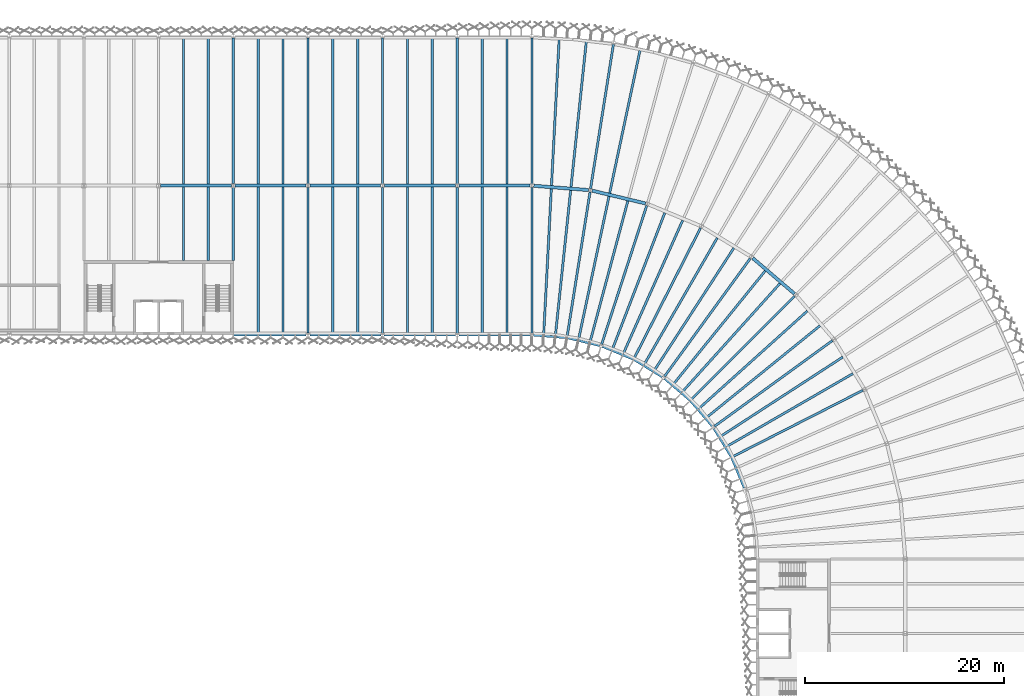
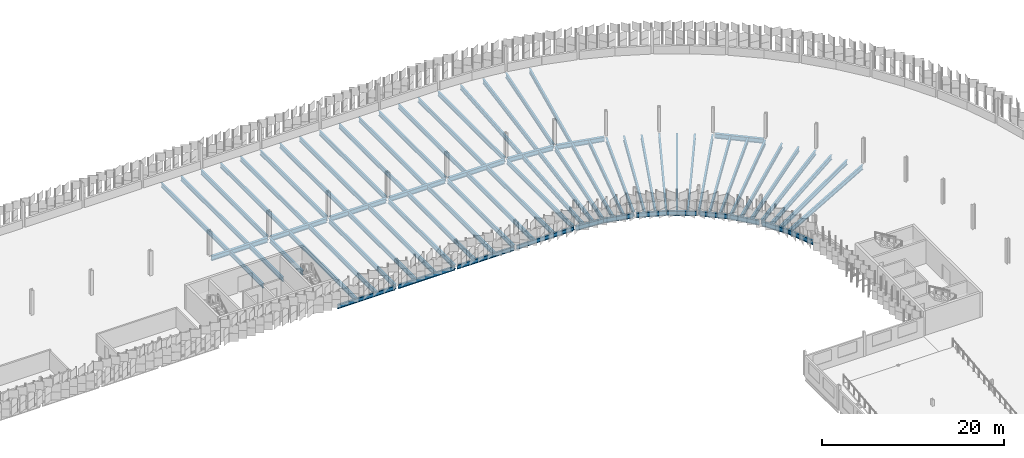
# One storey, part 37 of 198: 75 beams.
"""IFC4 building model written with IfcOpenShell, lengths in metres."""

from ifc_helpers import new_model, si_unit, direction, frame, origin, origin_2d, place, context, subcontext, project, spatial, i_section, extrude, material, material_profile, profile_set, type_object, element, save


model = new_model("IFC4")

# Units and contexts
model_context = context("Model", 3, precision=1e-05, world=origin(), true_north=direction((0.0, 1.0)))
body_context = subcontext(model_context, "Body", "Model", "MODEL_VIEW")
ifc_project = project(units=[si_unit("LENGTHUNIT", "METRE"), si_unit("AREAUNIT", "SQUARE_METRE"), si_unit("VOLUMEUNIT", "CUBIC_METRE"), si_unit("PLANEANGLEUNIT", "RADIAN"), si_unit("MASSUNIT", "GRAM", prefix="KILO")], contexts=[model_context])

# Site, building, storey
site_placement = place(None, origin())
site = spatial("IfcSite", under=ifc_project, at=site_placement, CompositionType="ELEMENT")
building_placement = place(site_placement, origin())
building = spatial("IfcBuilding", under=site, at=building_placement, Name="Parallax Yard Mobility Hub", CompositionType="ELEMENT")
storey_placement = place(building_placement, frame((0.0, 0.0, 6.60009765625)))
storey = spatial("IfcBuildingStorey", under=building, at=storey_placement, Name="L02", CompositionType="ELEMENT", Elevation=6.60009765625)

# Beams
ifc_material = material(Name="Steel ASTM A992", Category="steel")
ifc_material_profile_1 = material_profile(ifc_material, i_section(OverallWidth=0.208984375, OverallDepth=0.532958984375, WebThickness=0.01025390625, FlangeThickness=0.015625, FilletRadius=0.0126953125, at=origin_2d()), Name="W530x92")
ifc_profile_set_1 = profile_set([ifc_material_profile_1], Name="Steel ASTM A992")
beam_type_1 = type_object("IfcBeamType", Name="W530x92 edge beam", PredefinedType="SPANDREL", material=ifc_profile_set_1)
beam_1_placement = place(storey_placement, frame((142.5, 112.5, -0.406494140625), z_axis=(1.0, 0.0, 0.0), x_axis=(0.0, 1.0, 0.0)))
element("IfcBeam", 1, at=beam_1_placement, inside=storey, type_object=beam_type_1, Name="Edge beam SB5 level L02, line R of ramped parking decks, span 12", PredefinedType="SPANDREL", context=body_context, shape_type="SweptSolid", body=[
    extrude(i_section(OverallWidth=0.208984375, OverallDepth=0.532958984375, WebThickness=0.01025390625, FlangeThickness=0.015625, FilletRadius=0.0126953125, at=origin_2d()), origin(), (0.0, 0.0, 1.0), 7.3134765625),
])
beam_2_placement = place(storey_placement, frame((150.1865234375, 112.5, -0.406494140625), z_axis=(1.0, 0.0, 0.0), x_axis=(0.0, 1.0, 0.0)))
element("IfcBeam", 2, at=beam_2_placement, inside=storey, type_object=beam_type_1, Name="Edge beam SB5 level L02, line R of ramped parking decks, span 13", PredefinedType="SPANDREL", context=body_context, shape_type="SweptSolid", body=[
    extrude(i_section(OverallWidth=0.208984375, OverallDepth=0.532958984375, WebThickness=0.01025390625, FlangeThickness=0.015625, FilletRadius=0.0126953125, at=origin_2d()), origin(), (0.0, 0.0, 1.0), 7.160888671875),
])
for number, where, z_axis, x_axis, name in (
    (3, (157.652587890625, 112.5, -0.406494140625), (1.0, 0.0, 0.0), (0.0, 1.0, 0.0), "Edge beam SB5 level L02, line R of ramped parking decks, span 14"),
    (4, (165.152587890625, 112.5, -0.406494140625), (1.0, 0.0, 0.0), (0.0, 1.0, 0.0), "Edge beam SB5 level L02, line R of ramped parking decks, span 15"),
):
    element("IfcBeam", number, at=place(storey_placement, frame(where, z_axis=z_axis, x_axis=x_axis)), inside=storey, type_object=beam_type_1, Name=name, PredefinedType="SPANDREL", context=body_context, shape_type="SweptSolid", body=[
        extrude(i_section(OverallWidth=0.208984375, OverallDepth=0.532958984375, WebThickness=0.01025390625, FlangeThickness=0.015625, FilletRadius=0.0126953125, at=origin_2d()), origin(), (0.0, 0.0, 1.0), 7.19482421875),
    ])
ifc_material_profile_2 = material_profile(ifc_material, i_section(OverallWidth=0.22802734375, OverallDepth=0.60205078125, WebThickness=0.010498046875, FlangeThickness=0.014892578125, FilletRadius=0.0126953125, at=origin_2d()), Name="W610x101")
ifc_profile_set_2 = profile_set([ifc_material_profile_2], Name="Steel ASTM A992")
beam_type_2 = type_object("IfcBeamType", Name="W610x101 secondary beam", PredefinedType="JOIST", material=ifc_profile_set_2)
beam_3_placement = place(storey_placement, frame((137.5, 120.0, -0.441162109375), z_axis=(0.0, 1.0, 0.0), x_axis=(-1.0, 0.0, 0.0)))
element("IfcBeam", 5, at=beam_3_placement, inside=storey, type_object=beam_type_2, Name="Secondary beam B3 level L02, 2.5 m east of line 19 of ramped parking decks, span 1", PredefinedType="JOIST", context=body_context, shape_type="SweptSolid", body=[
    extrude(i_section(OverallWidth=0.22802734375, OverallDepth=0.60205078125, WebThickness=0.010498046875, FlangeThickness=0.014892578125, FilletRadius=0.0126953125, at=origin_2d()), origin(), (0.0, 0.0, 1.0), 7.33740234375),
])
for number, where, z_axis, x_axis, name in (
    (6, (137.5, 127.66259765625, -0.441162109375), (0.0, 1.0, 0.0), (-1.0, 0.0, 0.0), "Secondary beam B3 level L02, 2.5 m east of line 19 of ramped parking decks, span 2"),
    (7, (145.0, 112.6044921875, -0.441162109375), (0.0, 1.0, 0.0), (-1.0, 0.0, 0.0), "Secondary beam B3 level L02, 2.5 m east of line 20 of ramped parking decks, span 1"),
    (8, (145.0, 127.66259765625, -0.441162109375), (0.0, 1.0, 0.0), (-1.0, 0.0, 0.0), "Secondary beam B3 level L02, 2.5 m east of line 20 of ramped parking decks, span 2"),
    (9, (152.5, 112.6044921875, -0.441162109375), (0.0, 1.0, 0.0), (-1.0, 0.0, 0.0), "Secondary beam B3 level L02, 2.5 m east of line 21 of ramped parking decks, span 1"),
    (10, (152.5, 127.66259765625, -0.441162109375), (0.0, 1.0, 0.0), (-1.0, 0.0, 0.0), "Secondary beam B3 level L02, 2.5 m east of line 21 of ramped parking decks, span 2"),
    (11, (160.0, 112.6044921875, -0.441162109375), (0.0, 1.0, 0.0), (-1.0, 0.0, 0.0), "Secondary beam B3 level L02, 2.5 m east of line 22 of ramped parking decks, span 1"),
    (12, (160.0, 127.66259765625, -0.441162109375), (0.0, 1.0, 0.0), (-1.0, 0.0, 0.0), "Secondary beam B3 level L02, 2.5 m east of line 22 of ramped parking decks, span 2"),
    (13, (167.5, 112.6044921875, -0.441162109375), (0.0, 1.0, 0.0), (-1.0, 0.0, 0.0), "Secondary beam B3 level L02, 2.5 m east of line 23 of ramped parking decks, span 1"),
    (14, (167.5, 127.66259765625, -0.441162109375), (0.0, 1.0, 0.0), (-1.0, 0.0, 0.0), "Secondary beam B3 level L02, 2.5 m east of line 23 of ramped parking decks, span 2"),
):
    element("IfcBeam", number, at=place(storey_placement, frame(where, z_axis=z_axis, x_axis=x_axis)), inside=storey, type_object=beam_type_2, Name=name, PredefinedType="JOIST", context=body_context, shape_type="SweptSolid", body=[
        extrude(i_section(OverallWidth=0.22802734375, OverallDepth=0.60205078125, WebThickness=0.010498046875, FlangeThickness=0.014892578125, FilletRadius=0.0126953125, at=origin_2d()), origin(), (0.0, 0.0, 1.0), 14.73291015625),
    ])
beam_4_placement = place(storey_placement, frame((140.0, 120.0, -0.441162109375), z_axis=(0.0, 1.0, 0.0), x_axis=(-1.0, 0.0, 0.0)))
element("IfcBeam", 15, at=beam_4_placement, inside=storey, type_object=beam_type_2, Name="Secondary beam B3 level L02, 5 m east of line 19 of ramped parking decks, span 1", PredefinedType="JOIST", context=body_context, shape_type="SweptSolid", body=[
    extrude(i_section(OverallWidth=0.22802734375, OverallDepth=0.60205078125, WebThickness=0.010498046875, FlangeThickness=0.014892578125, FilletRadius=0.0126953125, at=origin_2d()), origin(), (0.0, 0.0, 1.0), 7.33740234375),
])
for number, where, z_axis, x_axis, name in (
    (16, (140.0, 127.66259765625, -0.441162109375), (0.0, 1.0, 0.0), (-1.0, 0.0, 0.0), "Secondary beam B3 level L02, 5 m east of line 19 of ramped parking decks, span 2"),
    (17, (147.5, 112.6044921875, -0.441162109375), (0.0, 1.0, 0.0), (-1.0, 0.0, 0.0), "Secondary beam B3 level L02, 5 m east of line 20 of ramped parking decks, span 1"),
    (18, (147.5, 127.66259765625, -0.441162109375), (0.0, 1.0, 0.0), (-1.0, 0.0, 0.0), "Secondary beam B3 level L02, 5 m east of line 20 of ramped parking decks, span 2"),
    (19, (155.0, 112.6044921875, -0.441162109375), (0.0, 1.0, 0.0), (-1.0, 0.0, 0.0), "Secondary beam B3 level L02, 5 m east of line 21 of ramped parking decks, span 1"),
    (20, (155.0, 127.66259765625, -0.441162109375), (0.0, 1.0, 0.0), (-1.0, 0.0, 0.0), "Secondary beam B3 level L02, 5 m east of line 21 of ramped parking decks, span 2"),
    (21, (162.5, 112.6044921875, -0.441162109375), (0.0, 1.0, 0.0), (-1.0, 0.0, 0.0), "Secondary beam B3 level L02, 5 m east of line 22 of ramped parking decks, span 1"),
    (22, (162.5, 127.66259765625, -0.441162109375), (0.0, 1.0, 0.0), (-1.0, 0.0, 0.0), "Secondary beam B3 level L02, 5 m east of line 22 of ramped parking decks, span 2"),
    (23, (170.0, 112.6044921875, -0.441162109375), (0.0, 1.0, 0.0), (-1.0, 0.0, 0.0), "Secondary beam B3 level L02, 5 m east of line 23 of ramped parking decks, span 1"),
    (24, (170.0, 127.66259765625, -0.441162109375), (0.0, 1.0, 0.0), (-1.0, 0.0, 0.0), "Secondary beam B3 level L02, 5 m east of line 23 of ramped parking decks, span 2"),
):
    element("IfcBeam", number, at=place(storey_placement, frame(where, z_axis=z_axis, x_axis=x_axis)), inside=storey, type_object=beam_type_2, Name=name, PredefinedType="JOIST", context=body_context, shape_type="SweptSolid", body=[
        extrude(i_section(OverallWidth=0.22802734375, OverallDepth=0.60205078125, WebThickness=0.010498046875, FlangeThickness=0.014892578125, FilletRadius=0.0126953125, at=origin_2d()), origin(), (0.0, 0.0, 1.0), 14.73291015625),
    ])
beam_5_placement = place(storey_placement, frame((177.18896484375, 112.06005859375, -0.441162109375), z_axis=(0.207911657875, 0.978147607736, 0.0), x_axis=(-0.978147607736, 0.207911657875, 0.0)))
element("IfcBeam", 25, at=beam_5_placement, inside=storey, type_object=beam_type_2, Name="Secondary beam B3 level L02, radial at 12 degrees of ramped parking decks, span 1", PredefinedType="JOIST", context=body_context, shape_type="SweptSolid", body=[
    extrude(i_section(OverallWidth=0.22802734375, OverallDepth=0.60205078125, WebThickness=0.010498046875, FlangeThickness=0.014892578125, FilletRadius=0.0126953125, at=origin_2d()), origin(), (0.0, 0.0, 1.0), 14.681640625),
])
beam_6_placement = place(storey_placement, frame((180.30908203125, 126.739013671875, -0.441162109375), z_axis=(0.207908276129, 0.978148326542, 0.0), x_axis=(-0.978148326542, 0.207908276129, 0.0)))
element("IfcBeam", 26, at=beam_6_placement, inside=storey, type_object=beam_type_2, Name="Secondary beam B3 level L02, radial at 12 degrees of ramped parking decks, span 2", PredefinedType="JOIST", context=body_context, shape_type="SweptSolid", body=[
    extrude(i_section(OverallWidth=0.22802734375, OverallDepth=0.60205078125, WebThickness=0.010498046875, FlangeThickness=0.014892578125, FilletRadius=0.0126953125, at=origin_2d()), origin(), (0.0, 0.0, 1.0), 14.681884765625),
])
for number, where, z_axis, x_axis, name in (
    (27, (178.337158203125, 111.784423828125, -0.441162109375), (0.258813386129, 0.965927342589, 0.0), (-0.965927342589, 0.258813386129, 0.0), "Secondary beam B3 level L02, radial at 15 degrees of ramped parking decks, span 1"),
    (28, (180.582275390625, 111.054931640625, -0.441162109375), (0.358354982937, 0.933585403808, 0.0), (-0.933585403808, 0.358354982937, 0.0), "Secondary beam B3 level L02, radial at 21 degrees of ramped parking decks, span 1"),
    (29, (181.673095703125, 110.60302734375, -0.441162109375), (0.406743189488, 0.913542542964, 0.0), (-0.913542542964, 0.406743189488, 0.0), "Secondary beam B3 level L02, radial at 24 degrees of ramped parking decks, span 1"),
    (30, (173.680419921875, 112.52197265625, -0.441162109375), (0.052331034694, 0.99862979267, 0.0), (-0.99862979267, 0.052331034694, 0.0), "Secondary beam B3 level L02, radial at 3 degrees of ramped parking decks, span 1"),
    (31, (174.4658203125, 127.50830078125, -0.441162109375), (0.052331034694, 0.99862979267, 0.0), (-0.99862979267, 0.052331034694, 0.0), "Secondary beam B3 level L02, radial at 3 degrees of ramped parking decks, span 2"),
):
    element("IfcBeam", number, at=place(storey_placement, frame(where, z_axis=z_axis, x_axis=x_axis)), inside=storey, type_object=beam_type_2, Name=name, PredefinedType="JOIST", context=body_context, shape_type="SweptSolid", body=[
        extrude(i_section(OverallWidth=0.22802734375, OverallDepth=0.60205078125, WebThickness=0.010498046875, FlangeThickness=0.014892578125, FilletRadius=0.0126953125, at=origin_2d()), origin(), (0.0, 0.0, 1.0), 14.681640625),
    ])
beam_7_placement = place(storey_placement, frame((183.7763671875, 109.53125, -0.441162109375), z_axis=(0.499994986164, 0.866028298505, 0.0), x_axis=(-0.866028298505, 0.499994986164, 0.0)))
element("IfcBeam", 32, at=beam_7_placement, inside=storey, type_object=beam_type_2, Name="Secondary beam B3 level L02, radial at 30 degrees of ramped parking decks, span 1", PredefinedType="JOIST", context=body_context, shape_type="SweptSolid", body=[
    extrude(i_section(OverallWidth=0.22802734375, OverallDepth=0.60205078125, WebThickness=0.010498046875, FlangeThickness=0.014892578125, FilletRadius=0.0126953125, at=origin_2d()), origin(), (0.0, 0.0, 1.0), 14.681884765625),
])
beam_8_placement = place(storey_placement, frame((184.783203125, 108.914306640625, -0.441162109375), z_axis=(0.544628836303, 0.838677190978, 0.0), x_axis=(-0.838677190978, 0.544628836303, 0.0)))
element("IfcBeam", 33, at=beam_8_placement, inside=storey, type_object=beam_type_2, Name="Secondary beam B3 level L02, radial at 33 degrees of ramped parking decks, span 1", PredefinedType="JOIST", context=body_context, shape_type="SweptSolid", body=[
    extrude(i_section(OverallWidth=0.22802734375, OverallDepth=0.60205078125, WebThickness=0.010498046875, FlangeThickness=0.014892578125, FilletRadius=0.0126953125, at=origin_2d()), origin(), (0.0, 0.0, 1.0), 14.681640625),
])
beam_9_placement = place(storey_placement, frame((186.693115234375, 107.52685546875, -0.441162109375), z_axis=(0.629317812071, 0.777148049865, 0.0), x_axis=(-0.777148049865, 0.629317812071, 0.0)))
element("IfcBeam", 34, at=beam_9_placement, inside=storey, type_object=beam_type_2, Name="Secondary beam B3 level L02, radial at 39 degrees of ramped parking decks, span 1", PredefinedType="JOIST", context=body_context, shape_type="SweptSolid", body=[
    extrude(i_section(OverallWidth=0.22802734375, OverallDepth=0.60205078125, WebThickness=0.010498046875, FlangeThickness=0.014892578125, FilletRadius=0.0126953125, at=origin_2d()), origin(), (0.0, 0.0, 1.0), 14.681884765625),
])
for number, where, z_axis, x_axis, name in (
    (35, (187.5908203125, 106.760009765625, -0.441162109375), (0.669130085287, 0.743145294652, 0.0), (-0.743145294652, 0.669130085287, 0.0), "Secondary beam B3 level L02, radial at 42 degrees of ramped parking decks, span 1"),
    (36, (189.260009765625, 105.0908203125, -0.441162109375), (0.743145294652, 0.669130085287, 0.0), (-0.669130085287, 0.743145294652, 0.0), "Secondary beam B3 level L02, radial at 48 degrees of ramped parking decks, span 1"),
):
    element("IfcBeam", number, at=place(storey_placement, frame(where, z_axis=z_axis, x_axis=x_axis)), inside=storey, type_object=beam_type_2, Name=name, PredefinedType="JOIST", context=body_context, shape_type="SweptSolid", body=[
        extrude(i_section(OverallWidth=0.22802734375, OverallDepth=0.60205078125, WebThickness=0.010498046875, FlangeThickness=0.014892578125, FilletRadius=0.0126953125, at=origin_2d()), origin(), (0.0, 0.0, 1.0), 14.681640625),
    ])
beam_10_placement = place(storey_placement, frame((190.02685546875, 104.193115234375, -0.441162109375), z_axis=(0.777148049865, 0.629317812071, 0.0), x_axis=(-0.629317812071, 0.777148049865, 0.0)))
element("IfcBeam", 37, at=beam_10_placement, inside=storey, type_object=beam_type_2, Name="Secondary beam B3 level L02, radial at 51 degrees of ramped parking decks, span 1", PredefinedType="JOIST", context=body_context, shape_type="SweptSolid", body=[
    extrude(i_section(OverallWidth=0.22802734375, OverallDepth=0.60205078125, WebThickness=0.010498046875, FlangeThickness=0.014892578125, FilletRadius=0.0126953125, at=origin_2d()), origin(), (0.0, 0.0, 1.0), 14.681884765625),
])
beam_11_placement = place(storey_placement, frame((191.414306640625, 102.283203125, -0.441162109375), z_axis=(0.838677190978, 0.544628836303, 0.0), x_axis=(-0.544628836303, 0.838677190978, 0.0)))
element("IfcBeam", 38, at=beam_11_placement, inside=storey, type_object=beam_type_2, Name="Secondary beam B3 level L02, radial at 57 degrees of ramped parking decks, span 1", PredefinedType="JOIST", context=body_context, shape_type="SweptSolid", body=[
    extrude(i_section(OverallWidth=0.22802734375, OverallDepth=0.60205078125, WebThickness=0.010498046875, FlangeThickness=0.014892578125, FilletRadius=0.0126953125, at=origin_2d()), origin(), (0.0, 0.0, 1.0), 14.681640625),
])
beam_12_placement = place(storey_placement, frame((174.857421875, 112.42919921875, -0.441162109375), z_axis=(0.104527244507, 0.994522023464, 0.0), x_axis=(-0.994522023464, 0.104527244507, 0.0)))
element("IfcBeam", 39, at=beam_12_placement, inside=storey, type_object=beam_type_2, Name="Secondary beam B3 level L02, radial at 6 degrees of ramped parking decks, span 1", PredefinedType="JOIST", context=body_context, shape_type="SweptSolid", body=[
    extrude(i_section(OverallWidth=0.22802734375, OverallDepth=0.60205078125, WebThickness=0.010498046875, FlangeThickness=0.014892578125, FilletRadius=0.0126953125, at=origin_2d()), origin(), (0.0, 0.0, 1.0), 14.681884765625),
])
beam_13_placement = place(storey_placement, frame((176.426025390625, 127.35400390625, -0.441162109375), z_axis=(0.104528973154, 0.994521841777, 0.0), x_axis=(-0.994521841777, 0.104528973154, 0.0)))
element("IfcBeam", 40, at=beam_13_placement, inside=storey, type_object=beam_type_2, Name="Secondary beam B3 level L02, radial at 6 degrees of ramped parking decks, span 2", PredefinedType="JOIST", context=body_context, shape_type="SweptSolid", body=[
    extrude(i_section(OverallWidth=0.22802734375, OverallDepth=0.60205078125, WebThickness=0.010498046875, FlangeThickness=0.014892578125, FilletRadius=0.0126953125, at=origin_2d()), origin(), (0.0, 0.0, 1.0), 14.681640625),
])
beam_14_placement = place(storey_placement, frame((192.03125, 101.2763671875, -0.441162109375), z_axis=(0.866028298505, 0.499994986164, 0.0), x_axis=(-0.499994986164, 0.866028298505, 0.0)))
element("IfcBeam", 41, at=beam_14_placement, inside=storey, type_object=beam_type_2, Name="Secondary beam B3 level L02, radial at 60 degrees of ramped parking decks, span 1", PredefinedType="JOIST", context=body_context, shape_type="SweptSolid", body=[
    extrude(i_section(OverallWidth=0.22802734375, OverallDepth=0.60205078125, WebThickness=0.010498046875, FlangeThickness=0.014892578125, FilletRadius=0.0126953125, at=origin_2d()), origin(), (0.0, 0.0, 1.0), 14.681884765625),
])
ifc_material_profile_3 = material_profile(ifc_material, i_section(OverallWidth=0.22900390625, OverallDepth=0.612060546875, WebThickness=0.011962890625, FlangeThickness=0.01953125, FilletRadius=0.0126953125, at=origin_2d()), Name="W610x125")
ifc_profile_set_3 = profile_set([ifc_material_profile_3], Name="Steel ASTM A992")
beam_type_3 = type_object("IfcBeamType", Name="W610x125 edge beam", PredefinedType="SPANDREL", material=ifc_profile_set_3)
beam_15_placement = place(storey_placement, frame((172.652587890625, 112.488037109375, -0.446044921875), z_axis=(0.996914245703, -0.078498323001, 0.0), x_axis=(0.078498323001, 0.996914245703, 0.0)))
element("IfcBeam", 42, at=beam_15_placement, inside=storey, type_object=beam_type_3, Name="Edge beam SB7 level L02, ring RA of ramped parking decks, span 1", PredefinedType="SPANDREL", context=body_context, shape_type="SweptSolid", body=[
    extrude(i_section(OverallWidth=0.22900390625, OverallDepth=0.612060546875, WebThickness=0.011962890625, FlangeThickness=0.01953125, FilletRadius=0.0126953125, at=origin_2d()), origin(), (0.0, 0.0, 1.0), 3.377685546875),
])
for number, where, z_axis, x_axis, name in (
    (43, (176.019775390625, 112.222900390625, -0.446044921875), (0.972383364088, -0.23338935975, 0.0), (0.23338935975, 0.972383364088, 0.0), "Edge beam SB7 level L02, ring RA of ramped parking decks, span 2"),
    (44, (179.59521484375, 111.33984375, -0.446044921875), (0.923874954181, -0.382694485246, 0.0), (0.382694485246, 0.923874954181, 0.0), "Edge beam SB7 level L02, ring RA of ramped parking decks, span 3"),
    (45, (182.71484375, 110.047607421875, -0.446044921875), (0.852632424062, -0.522511195514, 0.0), (0.522511195514, 0.852632424062, 0.0), "Edge beam SB7 level L02, ring RA of ramped parking decks, span 4"),
    (46, (185.84228515625, 108.102783203125, -0.446044921875), (0.760419054456, -0.649432722936, 0.0), (0.649432722936, 0.760419054456, 0.0), "Edge beam SB7 level L02, ring RA of ramped parking decks, span 5"),
    (47, (188.409912109375, 105.909912109375, -0.446044921875), (0.649432722936, -0.760419054456, 0.0), (0.760419054456, 0.649432722936, 0.0), "Edge beam SB7 level L02, ring RA of ramped parking decks, span 6"),
    (48, (190.783203125, 103.093994140625, -0.446044921875), (0.522511195514, -0.852632424062, 0.0), (0.852632424062, 0.522511195514, 0.0), "Edge beam SB7 level L02, ring RA of ramped parking decks, span 7"),
):
    element("IfcBeam", number, at=place(storey_placement, frame(where, z_axis=z_axis, x_axis=x_axis)), inside=storey, type_object=beam_type_3, Name=name, PredefinedType="SPANDREL", context=body_context, shape_type="SweptSolid", body=[
        extrude(i_section(OverallWidth=0.22900390625, OverallDepth=0.612060546875, WebThickness=0.011962890625, FlangeThickness=0.01953125, FilletRadius=0.0126953125, at=origin_2d()), origin(), (0.0, 0.0, 1.0), 3.376708984375),
    ])
beam_16_placement = place(storey_placement, frame((192.547607421875, 100.21484375, -0.446044921875), z_axis=(0.382716213896, -0.923865953275, 0.0), x_axis=(0.923865953275, 0.382716213896, 0.0)))
element("IfcBeam", 49, at=beam_16_placement, inside=storey, type_object=beam_type_3, Name="Edge beam SB7 level L02, ring RA of ramped parking decks, span 8", PredefinedType="SPANDREL", context=body_context, shape_type="SweptSolid", body=[
    extrude(i_section(OverallWidth=0.22900390625, OverallDepth=0.612060546875, WebThickness=0.011962890625, FlangeThickness=0.01953125, FilletRadius=0.0126953125, at=origin_2d()), origin(), (0.0, 0.0, 1.0), 3.3330078125),
])
ifc_material_profile_4 = material_profile(ifc_material, i_section(OverallWidth=0.22900390625, OverallDepth=0.612060546875, WebThickness=0.011962890625, FlangeThickness=0.01953125, FilletRadius=0.0126953125, at=origin_2d()), Name="W610x125")
ifc_profile_set_4 = profile_set([ifc_material_profile_4], Name="Steel ASTM A992")
beam_type_4 = type_object("IfcBeamType", Name="W610x125 girder", PredefinedType="BEAM", material=ifc_profile_set_4)
beam_17_placement = place(storey_placement, frame((142.5, 120.0, -0.446044921875), z_axis=(0.0, 1.0, 0.0), x_axis=(-1.0, 0.0, 0.0)))
element("IfcBeam", 50, at=beam_17_placement, inside=storey, type_object=beam_type_4, Name="Girder G3 level L02, line 20 of ramped parking decks, span 1", PredefinedType="BEAM", context=body_context, shape_type="SweptSolid", body=[
    extrude(i_section(OverallWidth=0.22900390625, OverallDepth=0.612060546875, WebThickness=0.011962890625, FlangeThickness=0.01953125, FilletRadius=0.0126953125, at=origin_2d()), origin(), (0.0, 0.0, 1.0), 7.3095703125),
])
beam_18_placement = place(storey_placement, frame((142.5, 127.6904296875, -0.446044921875), z_axis=(0.0, 1.0, 0.0), x_axis=(-1.0, 0.0, 0.0)))
element("IfcBeam", 51, at=beam_18_placement, inside=storey, type_object=beam_type_4, Name="Girder G3 level L02, line 20 of ramped parking decks, span 2", PredefinedType="BEAM", context=body_context, shape_type="SweptSolid", body=[
    extrude(i_section(OverallWidth=0.22900390625, OverallDepth=0.612060546875, WebThickness=0.011962890625, FlangeThickness=0.01953125, FilletRadius=0.0126953125, at=origin_2d()), origin(), (0.0, 0.0, 1.0), 14.653564453125),
])
beam_19_placement = place(storey_placement, frame((150.0, 112.6865234375, -0.446044921875), z_axis=(0.0, 1.0, 0.0), x_axis=(-1.0, 0.0, 0.0)))
element("IfcBeam", 52, at=beam_19_placement, inside=storey, type_object=beam_type_4, Name="Girder G3 level L02, line 21 of ramped parking decks, span 1", PredefinedType="BEAM", context=body_context, shape_type="SweptSolid", body=[
    extrude(i_section(OverallWidth=0.22900390625, OverallDepth=0.612060546875, WebThickness=0.011962890625, FlangeThickness=0.01953125, FilletRadius=0.0126953125, at=origin_2d()), origin(), (0.0, 0.0, 1.0), 14.62548828125),
])
for number, where, z_axis, x_axis, name in (
    (53, (150.0, 127.68798828125, -0.446044921875), (0.0, 1.0, 0.0), (-1.0, 0.0, 0.0), "Girder G3 level L02, line 21 of ramped parking decks, span 2"),
    (54, (157.5, 112.656005859375, -0.446044921875), (0.0, 1.0, 0.0), (-1.0, 0.0, 0.0), "Girder G3 level L02, line 22 of ramped parking decks, span 1"),
    (55, (157.5, 127.68798828125, -0.446044921875), (0.0, 1.0, 0.0), (-1.0, 0.0, 0.0), "Girder G3 level L02, line 22 of ramped parking decks, span 2"),
    (56, (165.0, 112.656005859375, -0.446044921875), (0.0, 1.0, 0.0), (-1.0, 0.0, 0.0), "Girder G3 level L02, line 23 of ramped parking decks, span 1"),
    (57, (165.0, 127.68798828125, -0.446044921875), (0.0, 1.0, 0.0), (-1.0, 0.0, 0.0), "Girder G3 level L02, line 23 of ramped parking decks, span 2"),
):
    element("IfcBeam", number, at=place(storey_placement, frame(where, z_axis=z_axis, x_axis=x_axis)), inside=storey, type_object=beam_type_4, Name=name, PredefinedType="BEAM", context=body_context, shape_type="SweptSolid", body=[
        extrude(i_section(OverallWidth=0.22900390625, OverallDepth=0.612060546875, WebThickness=0.011962890625, FlangeThickness=0.01953125, FilletRadius=0.0126953125, at=origin_2d()), origin(), (0.0, 0.0, 1.0), 14.656005859375),
    ])
for number, where, z_axis, x_axis, name in (
    (58, (172.5, 112.656005859375, -0.446044921875), (0.0, 1.0, 0.0), (-1.0, 0.0, 0.0), "Girder G3 level L02, line 24 of ramped parking decks, span 1"),
    (59, (172.5, 127.6865234375, -0.446044921875), (0.0, 1.0, 0.0), (-1.0, 0.0, 0.0), "Girder G3 level L02, line 24 of ramped parking decks, span 2"),
):
    element("IfcBeam", number, at=place(storey_placement, frame(where, z_axis=z_axis, x_axis=x_axis)), inside=storey, type_object=beam_type_4, Name=name, PredefinedType="BEAM", context=body_context, shape_type="SweptSolid", body=[
        extrude(i_section(OverallWidth=0.22900390625, OverallDepth=0.612060546875, WebThickness=0.011962890625, FlangeThickness=0.01953125, FilletRadius=0.0126953125, at=origin_2d()), origin(), (0.0, 0.0, 1.0), 14.657470703125),
    ])
beam_20_placement = place(storey_placement, frame((178.39501953125, 127.219970703125, -0.446044921875), z_axis=(0.156443166596, 0.987686962365, 0.0), x_axis=(-0.987686962365, 0.156443166596, 0.0)))
element("IfcBeam", 60, at=beam_20_placement, inside=storey, type_object=beam_type_4, Name="Girder G3 level L02, radial R1 of ramped parking decks, span 1", PredefinedType="BEAM", context=body_context, shape_type="SweptSolid", body=[
    extrude(i_section(OverallWidth=0.22900390625, OverallDepth=0.612060546875, WebThickness=0.011962890625, FlangeThickness=0.01953125, FilletRadius=0.0126953125, at=origin_2d()), origin(), (0.0, 0.0, 1.0), 14.659912109375),
])
for number, where, z_axis, x_axis, name in (
    (61, (179.501953125, 111.550048828125, -0.446044921875), (0.309022795332, 0.95105463143, 0.0), (-0.95105463143, 0.309022795332, 0.0), "Girder G3 level L02, radial R2 of ramped parking decks, span 1"),
    (62, (185.818603515625, 108.33154296875, -0.446044921875), (0.587780411223, 0.809020511596, 0.0), (-0.809020511596, 0.587780411223, 0.0), "Girder G3 level L02, radial R4 of ramped parking decks, span 1"),
    (63, (190.83154296875, 103.318603515625, -0.446044921875), (0.809020511596, 0.587780411223, 0.0), (-0.587780411223, 0.809020511596, 0.0), "Girder G3 level L02, radial R6 of ramped parking decks, span 1"),
):
    element("IfcBeam", number, at=place(storey_placement, frame(where, z_axis=z_axis, x_axis=x_axis)), inside=storey, type_object=beam_type_4, Name=name, PredefinedType="BEAM", context=body_context, shape_type="SweptSolid", body=[
        extrude(i_section(OverallWidth=0.22900390625, OverallDepth=0.612060546875, WebThickness=0.011962890625, FlangeThickness=0.01953125, FilletRadius=0.0126953125, at=origin_2d()), origin(), (0.0, 0.0, 1.0), 14.65673828125),
    ])
beam_21_placement = place(storey_placement, frame((176.019775390625, 112.222900390625, -0.446044921875), z_axis=(0.156425409286, 0.987689774843, 0.0), x_axis=(-0.987689774843, 0.156425409286, 0.0)))
element("IfcBeam", 64, at=beam_21_placement, inside=storey, type_object=beam_type_4, Name="Girder G3 level L02, radial R1 of ramped parking decks, span 2", PredefinedType="BEAM", context=body_context, shape_type="SweptSolid", body=[
    extrude(i_section(OverallWidth=0.22900390625, OverallDepth=0.612060546875, WebThickness=0.011962890625, FlangeThickness=0.01953125, FilletRadius=0.0126953125, at=origin_2d()), origin(), (0.0, 0.0, 1.0), 14.816162109375),
])
beam_22_placement = place(storey_placement, frame((182.71484375, 110.047607421875, -0.446044921875), z_axis=(0.453989713452, 0.891006924822, 0.0), x_axis=(-0.891006924822, 0.453989713452, 0.0)))
element("IfcBeam", 65, at=beam_22_placement, inside=storey, type_object=beam_type_4, Name="Girder G3 level L02, radial R3 of ramped parking decks, span 2", PredefinedType="BEAM", context=body_context, shape_type="SweptSolid", body=[
    extrude(i_section(OverallWidth=0.22900390625, OverallDepth=0.612060546875, WebThickness=0.011962890625, FlangeThickness=0.01953125, FilletRadius=0.0126953125, at=origin_2d()), origin(), (0.0, 0.0, 1.0), 14.81591796875),
])
beam_23_placement = place(storey_placement, frame((188.409912109375, 105.909912109375, -0.446044921875), z_axis=(0.707106781187, 0.707106781187, 0.0), x_axis=(-0.707106781187, 0.707106781187, 0.0)))
element("IfcBeam", 66, at=beam_23_placement, inside=storey, type_object=beam_type_4, Name="Girder G3 level L02, radial R5 of ramped parking decks, span 2", PredefinedType="BEAM", context=body_context, shape_type="SweptSolid", body=[
    extrude(i_section(OverallWidth=0.22900390625, OverallDepth=0.612060546875, WebThickness=0.011962890625, FlangeThickness=0.01953125, FilletRadius=0.0126953125, at=origin_2d()), origin(), (0.0, 0.0, 1.0), 14.816162109375),
])
beam_24_placement = place(storey_placement, frame((192.547607421875, 100.21484375, -0.446044921875), z_axis=(0.891006924822, 0.453989713452, 0.0), x_axis=(-0.453989713452, 0.891006924822, 0.0)))
element("IfcBeam", 67, at=beam_24_placement, inside=storey, type_object=beam_type_4, Name="Girder G3 level L02, radial R7 of ramped parking decks, span 2", PredefinedType="BEAM", context=body_context, shape_type="SweptSolid", body=[
    extrude(i_section(OverallWidth=0.22900390625, OverallDepth=0.612060546875, WebThickness=0.011962890625, FlangeThickness=0.01953125, FilletRadius=0.0126953125, at=origin_2d()), origin(), (0.0, 0.0, 1.0), 14.81591796875),
])
ifc_material_profile_5 = material_profile(ifc_material, i_section(OverallWidth=0.324951171875, OverallDepth=0.612060546875, WebThickness=0.0126953125, FlangeThickness=0.01904296875, FilletRadius=0.0126953125, at=origin_2d()), Name="W610x155")
ifc_profile_set_5 = profile_set([ifc_material_profile_5], Name="Steel ASTM A992")
beam_type_5 = type_object("IfcBeamType", Name="W610x155 longitudinal beam", PredefinedType="BEAM", material=ifc_profile_set_5)
beam_25_placement = place(storey_placement, frame((135.197998046875, 127.5, -0.446044921875), z_axis=(1.0, 0.0, 0.0), x_axis=(0.0, 1.0, 0.0)))
element("IfcBeam", 68, at=beam_25_placement, inside=storey, type_object=beam_type_5, Name="Longitudinal beam SB8 level L02, line T of ramped parking decks, span 15", PredefinedType="BEAM", context=body_context, shape_type="SweptSolid", body=[
    extrude(i_section(OverallWidth=0.324951171875, OverallDepth=0.612060546875, WebThickness=0.0126953125, FlangeThickness=0.01904296875, FilletRadius=0.0126953125, at=origin_2d()), origin(), (0.0, 0.0, 1.0), 7.10400390625),
])
beam_26_placement = place(storey_placement, frame((142.697998046875, 127.5, -0.446044921875), z_axis=(1.0, 0.0, 0.0), x_axis=(0.0, 1.0, 0.0)))
element("IfcBeam", 69, at=beam_26_placement, inside=storey, type_object=beam_type_5, Name="Longitudinal beam SB8 level L02, line T of ramped parking decks, span 16", PredefinedType="BEAM", context=body_context, shape_type="SweptSolid", body=[
    extrude(i_section(OverallWidth=0.324951171875, OverallDepth=0.612060546875, WebThickness=0.0126953125, FlangeThickness=0.01904296875, FilletRadius=0.0126953125, at=origin_2d()), origin(), (0.0, 0.0, 1.0), 7.10498046875),
])
for number, where, z_axis, x_axis, name in (
    (70, (150.197021484375, 127.5, -0.446044921875), (1.0, 0.0, 0.0), (0.0, 1.0, 0.0), "Longitudinal beam SB8 level L02, line T of ramped parking decks, span 17"),
    (71, (157.697021484375, 127.5, -0.446044921875), (1.0, 0.0, 0.0), (0.0, 1.0, 0.0), "Longitudinal beam SB8 level L02, line T of ramped parking decks, span 18"),
):
    element("IfcBeam", number, at=place(storey_placement, frame(where, z_axis=z_axis, x_axis=x_axis)), inside=storey, type_object=beam_type_5, Name=name, PredefinedType="BEAM", context=body_context, shape_type="SweptSolid", body=[
        extrude(i_section(OverallWidth=0.324951171875, OverallDepth=0.612060546875, WebThickness=0.0126953125, FlangeThickness=0.01904296875, FilletRadius=0.0126953125, at=origin_2d()), origin(), (0.0, 0.0, 1.0), 7.10595703125),
    ])
beam_27_placement = place(storey_placement, frame((165.197021484375, 127.5, -0.446044921875), z_axis=(1.0, 0.0, 0.0), x_axis=(0.0, 1.0, 0.0)))
element("IfcBeam", 72, at=beam_27_placement, inside=storey, type_object=beam_type_5, Name="Longitudinal beam SB8 level L02, line T of ramped parking decks, span 19", PredefinedType="BEAM", context=body_context, shape_type="SweptSolid", body=[
    extrude(i_section(OverallWidth=0.324951171875, OverallDepth=0.612060546875, WebThickness=0.0126953125, FlangeThickness=0.01904296875, FilletRadius=0.0126953125, at=origin_2d()), origin(), (0.0, 0.0, 1.0), 7.116455078125),
])
beam_28_placement = place(storey_placement, frame((172.6865234375, 127.4853515625, -0.446044921875), z_axis=(0.99691660038, -0.078468413301, 0.0), x_axis=(0.078468413301, 0.99691660038, 0.0)))
element("IfcBeam", 73, at=beam_28_placement, inside=storey, type_object=beam_type_5, Name="Longitudinal beam SB8 level L02, ring RB of ramped parking decks, span 1", PredefinedType="BEAM", context=body_context, shape_type="SweptSolid", body=[
    extrude(i_section(OverallWidth=0.324951171875, OverallDepth=0.612060546875, WebThickness=0.0126953125, FlangeThickness=0.01904296875, FilletRadius=0.0126953125, at=origin_2d()), origin(), (0.0, 0.0, 1.0), 5.51025390625),
])
beam_29_placement = place(storey_placement, frame((178.548095703125, 126.99462890625, -0.446044921875), z_axis=(0.97237000614, -0.233445006714, 0.0), x_axis=(0.233445006714, 0.97237000614, 0.0)))
element("IfcBeam", 74, at=beam_29_placement, inside=storey, type_object=beam_type_5, Name="Longitudinal beam SB8 level L02, ring RB of ramped parking decks, span 2", PredefinedType="BEAM", context=body_context, shape_type="SweptSolid", body=[
    extrude(i_section(OverallWidth=0.324951171875, OverallDepth=0.612060546875, WebThickness=0.0126953125, FlangeThickness=0.01904296875, FilletRadius=0.0126953125, at=origin_2d()), origin(), (0.0, 0.0, 1.0), 5.510498046875),
])
beam_30_placement = place(storey_placement, frame((194.68408203125, 120.216552734375, -0.446044921875), z_axis=(0.760418804803, -0.649433015254, 0.0), x_axis=(0.649433015254, 0.760418804803, 0.0)))
element("IfcBeam", 75, at=beam_30_placement, inside=storey, type_object=beam_type_5, Name="Longitudinal beam SB8 level L02, ring RB of ramped parking decks, span 5", PredefinedType="BEAM", context=body_context, shape_type="SweptSolid", body=[
    extrude(i_section(OverallWidth=0.324951171875, OverallDepth=0.612060546875, WebThickness=0.0126953125, FlangeThickness=0.01904296875, FilletRadius=0.0126953125, at=origin_2d()), origin(), (0.0, 0.0, 1.0), 5.51025390625),
])

save(model, "model.ifc")
